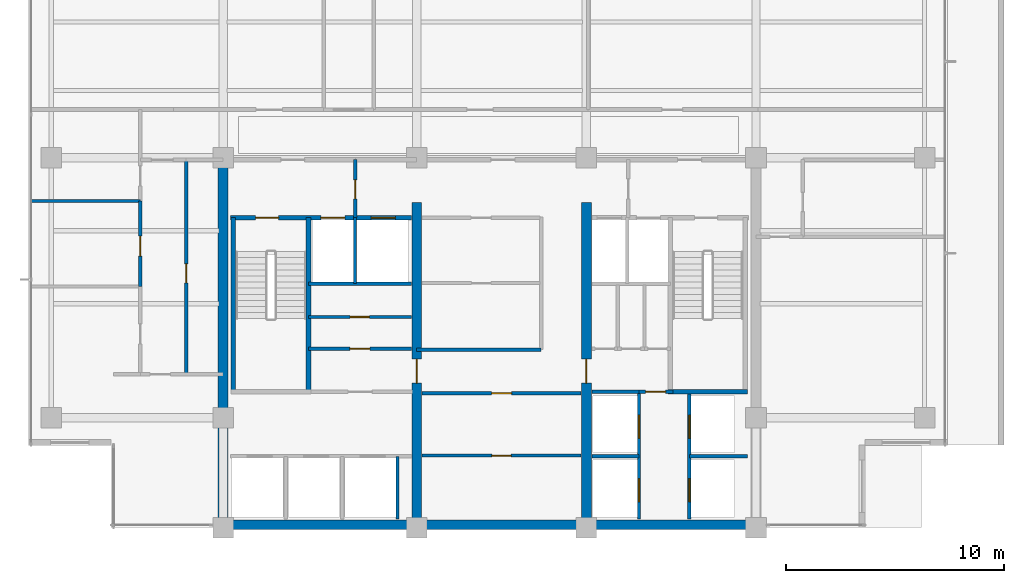
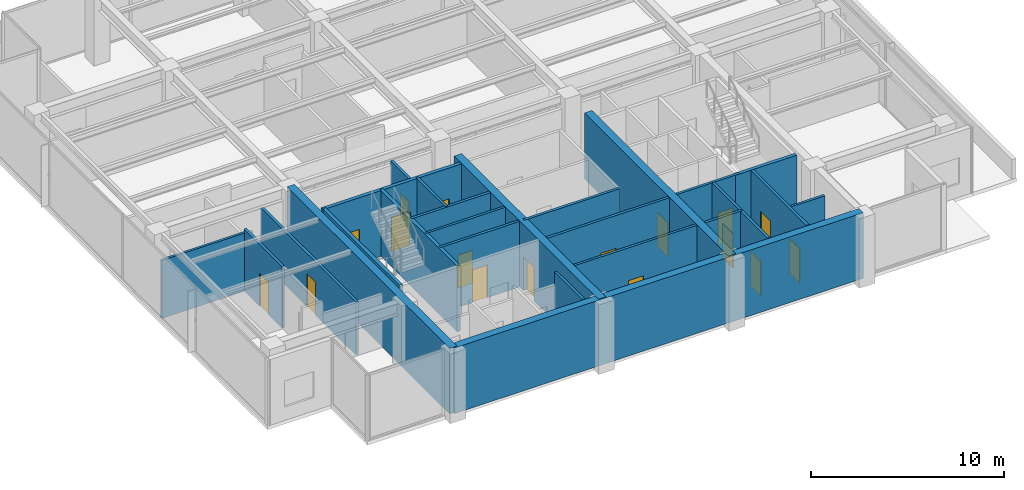
# One storey, part 7 of 14: 26 walls, 17 doors, 17 openings.
"""IFC4 building model written with IfcOpenShell, lengths in metres."""

from ifc_helpers import new_model, si_unit, direction, frame, frame_2d, origin, place, context, subcontext, project, spatial, rectangle, extrude, material, layer, layer_set, type_object, element, fill, save


model = new_model("IFC4")

# Units and contexts
model_context = context("Model", 3, precision=1e-05, world=origin(), true_north=direction((0.0, 1.0)))
body_context = subcontext(model_context, "Body", "Model", "MODEL_VIEW")
ifc_project = project(units=[si_unit("LENGTHUNIT", "METRE"), si_unit("AREAUNIT", "SQUARE_METRE"), si_unit("VOLUMEUNIT", "CUBIC_METRE"), si_unit("PLANEANGLEUNIT", "RADIAN"), si_unit("MASSUNIT", "GRAM", prefix="KILO")], contexts=[model_context])

# Site, building, storey
site_placement = place(None, origin())
site = spatial("IfcSite", under=ifc_project, at=site_placement, CompositionType="ELEMENT")
building_placement = place(site_placement, origin())
building = spatial("IfcBuilding", under=site, at=building_placement, Name="Qalmaran Belvedere Hotel", CompositionType="ELEMENT")
storey_placement = place(building_placement, frame((0.0, 0.0, 192.5)))
storey = spatial("IfcBuildingStorey", under=building, at=storey_placement, Name="L48", CompositionType="ELEMENT", Elevation=192.5)

# Wall
ifc_material_1 = material(Name="Concrete C50/60", Category="concrete")
ifc_layer_1 = layer(ifc_material_1, 0.449951171875, Name="Concrete C50/60")
ifc_layer_set_1 = layer_set([ifc_layer_1], Name="Concrete C50/60")
wall_type_1 = type_object("IfcWallType", Name="WL-CORE-450-C50", PredefinedType="SHEAR", material=ifc_layer_set_1)
wall_1_placement = place(storey_placement, frame((20.300048828125, 3.5, 0.0), z_axis=(0.0, 0.0, 1.0), x_axis=(0.0, 1.0, 0.0)))
element("IfcWall", 1, at=wall_1_placement, inside=storey, type_object=wall_type_1, Name="L48 West Core Shear Wall", PredefinedType="SHEAR", context=body_context, shape_type="SweptSolid", body=[
    extrude(rectangle(XDim=16.89990234375, YDim=0.449951171875, at=frame_2d((8.449951171875, 0.0))), origin(), (0.0, 0.0, 1.0), 4.159912109375),
])

# Wall, opening, door
wall_2_placement = place(storey_placement, frame((29.199951171875, 3.5, 0.0), z_axis=(0.0, 0.0, 1.0), x_axis=(0.0, 1.0, 0.0)))
wall_2 = element("IfcWall", 2, at=wall_2_placement, inside=storey, type_object=wall_type_1, Name="L48 Core West Spine Shear Wall", PredefinedType="SHEAR", context=body_context, shape_type="SweptSolid", body=[
    extrude(rectangle(XDim=14.949951171875, YDim=0.449951171875, at=frame_2d((7.47509765625, 0.0))), origin(), (0.0, 0.0, 1.0), 4.159912109375),
])
opening_1_placement = place(wall_2_placement, frame((7.75, 0.0, 0.0), z_axis=(0.0, 0.0, 1.0), x_axis=(-1.0, 0.0, 0.0)))
opening_1 = element("IfcOpeningElement", 3, at=opening_1_placement, cuts=wall_2, Name="Opening FD90", PredefinedType="OPENING", context=body_context, shape_type="SweptSolid", body=[
    extrude(rectangle(XDim=1.10009765625, YDim=2.14990234375, at=frame_2d((0.550048828125, 1.074951171875))), frame((0.0, 0.23486328125, 0.0), z_axis=(0.0, -1.0, 0.0), x_axis=(1.0, 0.0, 0.0)), (0.0, 0.0, 1.0), 0.469970703125),
])
ifc_material_2 = material(Name="Steel S355JR", Category="steel")
door_type_1 = type_object("IfcDoorType", Name="DR-FD90-1100X2150", OperationType="NOTDEFINED", PredefinedType="DOOR", material=ifc_material_2)
door_1_placement = place(opening_1_placement, origin())
door_1 = element("IfcDoor", 4, at=door_1_placement, inside=storey, type_object=door_type_1, Name="L48 Core West Cross-Lobby Door", OperationType="SINGLE_SWING_RIGHT", OverallHeight=2.14990234375, OverallWidth=1.10009765625, PredefinedType="DOOR", context=body_context, shape_type="SweptSolid", body=[
    extrude(rectangle(XDim=1.10009765625, YDim=2.14990234375, at=frame_2d((0.550048828125, 1.074951171875))), frame((0.0, 0.02490234375, 0.0), z_axis=(0.0, -1.0, 0.0), x_axis=(1.0, 0.0, 0.0)), (0.0, 0.0, 1.0), 0.050048828125),
])
fill(opening_1, door_1)

wall_3_placement = place(storey_placement, frame((37.0, 3.5, 0.0), z_axis=(0.0, 0.0, 1.0), x_axis=(0.0, 1.0, 0.0)))
wall_3 = element("IfcWall", 5, at=wall_3_placement, inside=storey, type_object=wall_type_1, Name="L48 Core East Spine Shear Wall", PredefinedType="SHEAR", context=body_context, shape_type="SweptSolid", body=[
    extrude(rectangle(XDim=14.949951171875, YDim=0.449951171875, at=frame_2d((7.47509765625, 0.0))), origin(), (0.0, 0.0, 1.0), 4.159912109375),
])
opening_2_placement = place(wall_3_placement, frame((6.64990234375, 0.0, 0.0)))
opening_2 = element("IfcOpeningElement", 6, at=opening_2_placement, cuts=wall_3, Name="Opening FD90", PredefinedType="OPENING", context=body_context, shape_type="SweptSolid", body=[
    extrude(rectangle(XDim=1.10009765625, YDim=2.14990234375, at=frame_2d((0.550048828125, 1.074951171875))), frame((0.0, 0.23486328125, 0.0), z_axis=(0.0, -1.0, 0.0), x_axis=(1.0, 0.0, 0.0)), (0.0, 0.0, 1.0), 0.469970703125),
])
door_2_placement = place(opening_2_placement, origin())
door_2 = element("IfcDoor", 7, at=door_2_placement, inside=storey, type_object=door_type_1, Name="L48 Core East Cross-Lobby Door", OperationType="SINGLE_SWING_LEFT", OverallHeight=2.14990234375, OverallWidth=1.10009765625, PredefinedType="DOOR", context=body_context, shape_type="SweptSolid", body=[
    extrude(rectangle(XDim=1.10009765625, YDim=2.14990234375, at=frame_2d((0.550048828125, 1.074951171875))), frame((0.0, 0.02490234375, 0.0), z_axis=(0.0, -1.0, 0.0), x_axis=(1.0, 0.0, 0.0)), (0.0, 0.0, 1.0), 0.050048828125),
])
fill(opening_2, door_2)

# Walls
ifc_layer_2 = layer(ifc_material_1, 0.43994140625, Name="Concrete C50/60")
ifc_layer_set_2 = layer_set([ifc_layer_2], Name="Concrete C50/60")
wall_type_2 = type_object("IfcWallType", Name="WL-CORES-440-EXT", PredefinedType="SHEAR", material=ifc_layer_set_2)
wall_4_placement = place(storey_placement, frame((20.300048828125, 3.6298828125, 0.0), z_axis=(0.0, 0.0, 1.0), x_axis=(1.0, 0.0, 0.0)))
element("IfcWall", 8, at=wall_4_placement, inside=storey, type_object=wall_type_2, Name="L48 South Core Shear Wall", PredefinedType="SHEAR", context=body_context, shape_type="SweptSolid", body=[
    extrude(rectangle(XDim=24.5, YDim=0.43994140625, at=frame_2d((12.25, 0.0))), origin(), (0.0, 0.0, 1.0), 4.159912109375),
])
ifc_material_3 = material(Name="Gypsum Stud Partition")
ifc_layer_3 = layer(ifc_material_3, 0.139892578125, Name="Gypsum Stud Partition")
ifc_layer_set_3 = layer_set([ifc_layer_3], Name="Gypsum Stud Partition")
wall_type_3 = type_object("IfcWallType", Name="WL-INT-140-NR", PredefinedType="PARTITIONING", material=ifc_layer_set_3)
wall_5_placement = place(storey_placement, frame((11.469970703125, 18.52001953125, 0.0), z_axis=(0.0, 0.0, 1.0), x_axis=(1.0, 0.0, 0.0)))
element("IfcWall", 9, at=wall_5_placement, inside=storey, type_object=wall_type_3, Name="L48 Partition WL-L48-WC2", PredefinedType="PARTITIONING", context=body_context, shape_type="SweptSolid", body=[
    extrude(rectangle(XDim=5.030029296875, YDim=0.139892578125, at=frame_2d((2.51513671875, 0.0))), origin(), (0.0, 0.0, 1.0), 3.681884765625),
])
ifc_layer_4 = layer(ifc_material_3, 0.14990234375, Name="Gypsum Stud Partition")
ifc_layer_set_4 = layer_set([ifc_layer_4], Name="Gypsum Stud Partition")
wall_type_4 = type_object("IfcWallType", Name="WL-INT-150-EI120", PredefinedType="PARTITIONING", material=ifc_layer_set_4)
wall_6_placement = place(storey_placement, frame((26.360107421875, 14.719970703125, 0.0), z_axis=(0.0, 0.0, 1.0), x_axis=(0.0, 1.0, 0.0)))
element("IfcWall", 10, at=wall_6_placement, inside=storey, type_object=wall_type_4, Name="L48 Partition WL-FF1M-L48", PredefinedType="PARTITIONING", context=body_context, shape_type="SweptSolid", body=[
    extrude(rectangle(XDim=3.0400390625, YDim=0.14990234375, at=frame_2d((1.52001953125, 0.0))), origin(), (0.0, 0.0, 1.0), 4.159912109375),
])
wall_7_placement = place(storey_placement, frame((28.320068359375, 3.89990234375, 0.0), z_axis=(0.0, 0.0, 1.0), x_axis=(0.0, 1.0, 0.0)))
element("IfcWall", 11, at=wall_7_placement, inside=storey, type_object=wall_type_4, Name="L48 Partition WL-POM3-L48", PredefinedType="PARTITIONING", context=body_context, shape_type="SweptSolid", body=[
    extrude(rectangle(XDim=2.880126953125, YDim=0.14990234375, at=frame_2d((1.43994140625, 0.0))), origin(), (0.0, 0.0, 1.0), 4.159912109375),
])
wall_8_placement = place(storey_placement, frame((37.25, 6.780029296875, 0.0), z_axis=(0.0, 0.0, 1.0), x_axis=(1.0, 0.0, 0.0)))
element("IfcWall", 12, at=wall_8_placement, inside=storey, type_object=wall_type_4, Name="L48 Partition WL-PHMW-L48", PredefinedType="PARTITIONING", context=body_context, shape_type="SweptSolid", body=[
    extrude(rectangle(XDim=2.169921875, YDim=0.14990234375, at=frame_2d((1.0849609375, 0.0))), origin(), (0.0, 0.0, 1.0), 4.159912109375),
])
wall_9_placement = place(storey_placement, frame((41.739990234375, 6.780029296875, 0.0), z_axis=(0.0, 0.0, 1.0), x_axis=(1.0, 0.0, 0.0)))
element("IfcWall", 13, at=wall_9_placement, inside=storey, type_object=wall_type_4, Name="L48 Partition WL-PHME-L48", PredefinedType="PARTITIONING", context=body_context, shape_type="SweptSolid", body=[
    extrude(rectangle(XDim=2.659912109375, YDim=0.14990234375, at=frame_2d((1.330078125, 0.0))), origin(), (0.0, 0.0, 1.0), 3.3720703125),
])

# Wall, opening, door
ifc_layer_5 = layer(ifc_material_3, 0.14990234375, Name="Gypsum Stud Partition")
ifc_layer_set_5 = layer_set([ifc_layer_5], Name="Gypsum Stud Partition")
wall_type_5 = type_object("IfcWallType", Name="WL-INT-150-EI60", PredefinedType="PARTITIONING", material=ifc_layer_set_5)
wall_10_placement = place(storey_placement, frame((24.219970703125, 13.18505859375, 0.0), z_axis=(0.0, 0.0, 1.0), x_axis=(1.0, 0.0, 0.0)))
wall_10 = element("IfcWall", 14, at=wall_10_placement, inside=storey, type_object=wall_type_5, Name="L48 Partition WL-L48-KWHM", PredefinedType="PARTITIONING", context=body_context, shape_type="SweptSolid", body=[
    extrude(rectangle(XDim=4.72998046875, YDim=0.14990234375, at=frame_2d((2.364990234375, 0.0))), origin(), (0.0, 0.0, 1.0), 4.159912109375),
])
opening_3_placement = place(wall_10_placement, frame((1.925048828125, 0.0, 0.0)))
opening_3 = element("IfcOpeningElement", 15, at=opening_3_placement, cuts=wall_10, Name="Opening FD60B", PredefinedType="OPENING", context=body_context, shape_type="SweptSolid", body=[
    extrude(rectangle(XDim=0.8798828125, YDim=2.080078125, at=frame_2d((0.43994140625, 1.0400390625))), frame((0.0, 0.0849609375, 0.0), z_axis=(0.0, -1.0, 0.0), x_axis=(1.0, 0.0, 0.0)), (0.0, 0.0, 1.0), 0.169921875),
])
door_type_2 = type_object("IfcDoorType", Name="DR-FD60B-880X2080", OperationType="NOTDEFINED", PredefinedType="DOOR", material=ifc_material_2)
door_3_placement = place(opening_3_placement, origin())
door_3 = element("IfcDoor", 16, at=door_3_placement, inside=storey, type_object=door_type_2, Name="L48 Staff Core WC Door", OperationType="SINGLE_SWING_RIGHT", OverallHeight=2.080078125, OverallWidth=0.8798828125, PredefinedType="DOOR", context=body_context, shape_type="SweptSolid", body=[
    extrude(rectangle(XDim=0.8798828125, YDim=2.080078125, at=frame_2d((0.43994140625, 1.0400390625))), frame((0.0, 0.02490234375, 0.0), z_axis=(0.0, -1.0, 0.0), x_axis=(1.0, 0.0, 0.0)), (0.0, 0.0, 1.0), 0.050048828125),
])
fill(opening_3, door_3)

wall_11_placement = place(storey_placement, frame((29.449951171875, 6.81494140625, 0.0), z_axis=(0.0, 0.0, 1.0), x_axis=(1.0, 0.0, 0.0)))
wall_11 = element("IfcWall", 17, at=wall_11_placement, inside=storey, type_object=wall_type_5, Name="L48 Partition WL-L48-KPLHM", PredefinedType="PARTITIONING", context=body_context, shape_type="SweptSolid", body=[
    extrude(rectangle(XDim=7.300048828125, YDim=0.14990234375, at=frame_2d((3.64990234375, 0.0))), origin(), (0.0, 0.0, 1.0), 4.159912109375),
])
opening_4_placement = place(wall_11_placement, frame((4.08984375, 0.0, 0.0), z_axis=(0.0, 0.0, 1.0), x_axis=(-1.0, 0.0, 0.0)))
opening_4 = element("IfcOpeningElement", 18, at=opening_4_placement, cuts=wall_11, Name="Opening FD60B", PredefinedType="OPENING", context=body_context, shape_type="SweptSolid", body=[
    extrude(rectangle(XDim=0.8798828125, YDim=2.080078125, at=frame_2d((0.43994140625, 1.0400390625))), frame((0.0, 0.0849609375, 0.0), z_axis=(0.0, -1.0, 0.0), x_axis=(1.0, 0.0, 0.0)), (0.0, 0.0, 1.0), 0.169921875),
])
door_4_placement = place(opening_4_placement, origin())
door_4 = element("IfcDoor", 19, at=door_4_placement, inside=storey, type_object=door_type_2, Name="L48 Housekeeping and Linen Room Door", OperationType="SINGLE_SWING_LEFT", OverallHeight=2.080078125, OverallWidth=0.8798828125, PredefinedType="DOOR", context=body_context, shape_type="SweptSolid", body=[
    extrude(rectangle(XDim=0.8798828125, YDim=2.080078125, at=frame_2d((0.43994140625, 1.0400390625))), frame((0.0, 0.02490234375, 0.0), z_axis=(0.0, -1.0, 0.0), x_axis=(1.0, 0.0, 0.0)), (0.0, 0.0, 1.0), 0.050048828125),
])
fill(opening_4, door_4)

ifc_layer_6 = layer(ifc_material_3, 0.159912109375, Name="Gypsum Stud Partition")
ifc_layer_set_6 = layer_set([ifc_layer_6], Name="Gypsum Stud Partition")
wall_type_6 = type_object("IfcWallType", Name="WL-INT-160-EI120", PredefinedType="PARTITIONING", material=ifc_layer_set_6)
wall_12_placement = place(storey_placement, frame((26.3798828125, 17.760009765625, 0.0), z_axis=(0.0, 0.0, 1.0), x_axis=(0.0, 1.0, 0.0)))
wall_12 = element("IfcWall", 20, at=wall_12_placement, inside=storey, type_object=wall_type_6, Name="L48 Partition WL-FFSV1-L48", PredefinedType="PARTITIONING", context=body_context, shape_type="SweptSolid", body=[
    extrude(rectangle(XDim=2.659912109375, YDim=0.159912109375, at=frame_2d((1.330078125, 0.0))), origin(), (0.0, 0.0, 1.0), 3.60595703125),
])
opening_5_placement = place(wall_12_placement, frame((0.85009765625, 0.0, 0.0)))
opening_5 = element("IfcOpeningElement", 21, at=opening_5_placement, cuts=wall_12, Name="Opening FD60B", PredefinedType="OPENING", context=body_context, shape_type="SweptSolid", body=[
    extrude(rectangle(XDim=0.8798828125, YDim=2.080078125, at=frame_2d((0.43994140625, 1.0400390625))), frame((0.0, 0.08984375, 0.0), z_axis=(0.0, -1.0, 0.0), x_axis=(1.0, 0.0, 0.0)), (0.0, 0.0, 1.0), 0.179931640625),
])
door_5_placement = place(opening_5_placement, origin())
door_5 = element("IfcDoor", 22, at=door_5_placement, inside=storey, type_object=door_type_2, Name="L48 Service Lobby West Door", OperationType="SINGLE_SWING_RIGHT", OverallHeight=2.080078125, OverallWidth=0.8798828125, PredefinedType="DOOR", context=body_context, shape_type="SweptSolid", body=[
    extrude(rectangle(XDim=0.8798828125, YDim=2.080078125, at=frame_2d((0.43994140625, 1.0400390625))), frame((0.0, 0.02490234375, 0.0), z_axis=(0.0, -1.0, 0.0), x_axis=(1.0, 0.0, 0.0)), (0.0, 0.0, 1.0), 0.050048828125),
])
fill(opening_5, door_5)

# Wall
wall_13_placement = place(storey_placement, frame((24.219970703125, 14.719970703125, 0.0), z_axis=(0.0, 0.0, 1.0), x_axis=(1.0, 0.0, 0.0)))
element("IfcWall", 23, at=wall_13_placement, inside=storey, type_object=wall_type_6, Name="L48 Partition WL-FF1S-L48", PredefinedType="PARTITIONING", context=body_context, shape_type="SweptSolid", body=[
    extrude(rectangle(XDim=4.72998046875, YDim=0.159912109375, at=frame_2d((2.364990234375, 0.0))), origin(), (0.0, 0.0, 1.0), 4.159912109375),
])

# Wall, openings, doors
wall_14_placement = place(storey_placement, frame((39.419921875, 3.89990234375, 0.0), z_axis=(0.0, 0.0, 1.0), x_axis=(0.0, 1.0, 0.0)))
wall_14 = element("IfcWall", 24, at=wall_14_placement, inside=storey, type_object=wall_type_6, Name="L48 Partition WL-PHW-L48", PredefinedType="PARTITIONING", context=body_context, shape_type="SweptSolid", body=[
    extrude(rectangle(XDim=5.840087890625, YDim=0.159912109375, at=frame_2d((2.919921875, 0.0))), origin(), (0.0, 0.0, 1.0), 4.159912109375),
])
opening_6_placement = place(wall_14_placement, frame((1.860107421875, 0.0, 0.0), z_axis=(0.0, 0.0, 1.0), x_axis=(-1.0, 0.0, 0.0)))
opening_6 = element("IfcOpeningElement", 25, at=opening_6_placement, cuts=wall_14, Name="Opening LD-P2", PredefinedType="OPENING", context=body_context, shape_type="SweptSolid", body=[
    extrude(rectangle(XDim=1.06005859375, YDim=2.159912109375, at=frame_2d((0.530029296875, 1.080078125))), frame((0.0, 0.08984375, 0.0), z_axis=(0.0, -1.0, 0.0), x_axis=(1.0, 0.0, 0.0)), (0.0, 0.0, 1.0), 0.179931640625),
])
opening_7_placement = place(wall_14_placement, frame((4.760009765625, 0.0, 0.0), z_axis=(0.0, 0.0, 1.0), x_axis=(-1.0, 0.0, 0.0)))
opening_7 = element("IfcOpeningElement", 26, at=opening_7_placement, cuts=wall_14, Name="Opening LD-P2", PredefinedType="OPENING", context=body_context, shape_type="SweptSolid", body=[
    extrude(rectangle(XDim=1.06005859375, YDim=2.159912109375, at=frame_2d((0.530029296875, 1.080078125))), frame((0.0, 0.08984375, 0.0), z_axis=(0.0, -1.0, 0.0), x_axis=(1.0, 0.0, 0.0)), (0.0, 0.0, 1.0), 0.179931640625),
])
ifc_material_4 = material(Name="Stainless Steel 1.4401", Category="steel")
door_type_3 = type_object("IfcDoorType", Name="DR-LIFT-P2-1060X2160", OperationType="DOUBLE_DOOR_SLIDING", PredefinedType="DOOR", material=ifc_material_4)
door_6_placement = place(opening_6_placement, origin())
door_6 = element("IfcDoor", 27, at=door_6_placement, inside=storey, type_object=door_type_3, Name="L48 PH1 Lift Landing Door", OperationType="DOUBLE_DOOR_SLIDING", OverallHeight=2.159912109375, OverallWidth=1.06005859375, PredefinedType="DOOR", context=body_context, shape_type="SweptSolid", body=[
    extrude(rectangle(XDim=1.06005859375, YDim=2.159912109375, at=frame_2d((0.530029296875, 1.080078125))), frame((0.0, 0.02490234375, 0.0), z_axis=(0.0, -1.0, 0.0), x_axis=(1.0, 0.0, 0.0)), (0.0, 0.0, 1.0), 0.050048828125),
])
fill(opening_6, door_6)
door_7_placement = place(opening_7_placement, origin())
door_7 = element("IfcDoor", 28, at=door_7_placement, inside=storey, type_object=door_type_3, Name="L48 PH2 Lift Landing Door", OperationType="DOUBLE_DOOR_SLIDING", OverallHeight=2.159912109375, OverallWidth=1.06005859375, PredefinedType="DOOR", context=body_context, shape_type="SweptSolid", body=[
    extrude(rectangle(XDim=1.06005859375, YDim=2.159912109375, at=frame_2d((0.530029296875, 1.080078125))), frame((0.0, 0.02490234375, 0.0), z_axis=(0.0, -1.0, 0.0), x_axis=(1.0, 0.0, 0.0)), (0.0, 0.0, 1.0), 0.050048828125),
])
fill(opening_7, door_7)

wall_15_placement = place(storey_placement, frame((41.739990234375, 3.89990234375, 0.0), z_axis=(0.0, 0.0, 1.0), x_axis=(0.0, 1.0, 0.0)))
wall_15 = element("IfcWall", 29, at=wall_15_placement, inside=storey, type_object=wall_type_6, Name="L48 Partition WL-PHE-L48", PredefinedType="PARTITIONING", context=body_context, shape_type="SweptSolid", body=[
    extrude(rectangle(XDim=5.840087890625, YDim=0.159912109375, at=frame_2d((2.919921875, 0.0))), origin(), (0.0, 0.0, 1.0), 4.159912109375),
])
opening_8_placement = place(wall_15_placement, frame((0.800048828125, 0.0, 0.0)))
opening_8 = element("IfcOpeningElement", 30, at=opening_8_placement, cuts=wall_15, Name="Opening LD-P2", PredefinedType="OPENING", context=body_context, shape_type="SweptSolid", body=[
    extrude(rectangle(XDim=1.06005859375, YDim=2.159912109375, at=frame_2d((0.530029296875, 1.080078125))), frame((0.0, 0.08984375, 0.0), z_axis=(0.0, -1.0, 0.0), x_axis=(1.0, 0.0, 0.0)), (0.0, 0.0, 1.0), 0.179931640625),
])
opening_9_placement = place(wall_15_placement, frame((3.699951171875, 0.0, 0.0)))
opening_9 = element("IfcOpeningElement", 31, at=opening_9_placement, cuts=wall_15, Name="Opening LD-P2", PredefinedType="OPENING", context=body_context, shape_type="SweptSolid", body=[
    extrude(rectangle(XDim=1.06005859375, YDim=2.159912109375, at=frame_2d((0.530029296875, 1.080078125))), frame((0.0, 0.08984375, 0.0), z_axis=(0.0, -1.0, 0.0), x_axis=(1.0, 0.0, 0.0)), (0.0, 0.0, 1.0), 0.179931640625),
])
door_8_placement = place(opening_8_placement, origin())
door_8 = element("IfcDoor", 32, at=door_8_placement, inside=storey, type_object=door_type_3, Name="L48 PH3 Lift Landing Door", OperationType="DOUBLE_DOOR_SLIDING", OverallHeight=2.159912109375, OverallWidth=1.06005859375, PredefinedType="DOOR", context=body_context, shape_type="SweptSolid", body=[
    extrude(rectangle(XDim=1.06005859375, YDim=2.159912109375, at=frame_2d((0.530029296875, 1.080078125))), frame((0.0, 0.02490234375, 0.0), z_axis=(0.0, -1.0, 0.0), x_axis=(1.0, 0.0, 0.0)), (0.0, 0.0, 1.0), 0.050048828125),
])
fill(opening_8, door_8)
door_9_placement = place(opening_9_placement, origin())
door_9 = element("IfcDoor", 33, at=door_9_placement, inside=storey, type_object=door_type_3, Name="L48 PH4 Lift Landing Door", OperationType="DOUBLE_DOOR_SLIDING", OverallHeight=2.159912109375, OverallWidth=1.06005859375, PredefinedType="DOOR", context=body_context, shape_type="SweptSolid", body=[
    extrude(rectangle(XDim=1.06005859375, YDim=2.159912109375, at=frame_2d((0.530029296875, 1.080078125))), frame((0.0, 0.02490234375, 0.0), z_axis=(0.0, -1.0, 0.0), x_axis=(1.0, 0.0, 0.0)), (0.0, 0.0, 1.0), 0.050048828125),
])
fill(opening_9, door_9)

# Wall
wall_16_placement = place(storey_placement, frame((37.25, 9.739990234375, 0.0), z_axis=(0.0, 0.0, 1.0), x_axis=(1.0, 0.0, 0.0)))
element("IfcWall", 34, at=wall_16_placement, inside=storey, type_object=wall_type_6, Name="L48 Partition WL-PHNW-L48", PredefinedType="PARTITIONING", context=body_context, shape_type="SweptSolid", body=[
    extrude(rectangle(XDim=2.169921875, YDim=0.159912109375, at=frame_2d((1.0849609375, 0.0))), origin(), (0.0, 0.0, 1.0), 4.159912109375),
])

# Wall, opening, door
wall_17_placement = place(storey_placement, frame((39.419921875, 9.739990234375, 0.0), z_axis=(0.0, 0.0, 1.0), x_axis=(1.0, 0.0, 0.0)))
wall_17 = element("IfcWall", 35, at=wall_17_placement, inside=storey, type_object=wall_type_6, Name="L48 Partition WL-PHNL-L48", PredefinedType="PARTITIONING", context=body_context, shape_type="SweptSolid", body=[
    extrude(rectangle(XDim=1.56005859375, YDim=0.159912109375, at=frame_2d((0.780029296875, 0.0))), origin(), (0.0, 0.0, 1.0), 4.159912109375),
])
opening_10_placement = place(wall_17_placement, frame((0.300048828125, 0.0, 0.0)))
opening_10 = element("IfcOpeningElement", 36, at=opening_10_placement, cuts=wall_17, Name="Opening FD60S1", PredefinedType="OPENING", context=body_context, shape_type="SweptSolid", body=[
    extrude(rectangle(XDim=0.919921875, YDim=2.080078125, at=frame_2d((0.4599609375, 1.0400390625))), frame((0.0, 0.08984375, 0.0), z_axis=(0.0, -1.0, 0.0), x_axis=(1.0, 0.0, 0.0)), (0.0, 0.0, 1.0), 0.179931640625),
])
ifc_material_5 = material(Name="Engineered Oak Veneer")
door_type_4 = type_object("IfcDoorType", Name="DR-FD60S-920X2080", OperationType="NOTDEFINED", PredefinedType="DOOR", material=ifc_material_5)
door_10_placement = place(opening_10_placement, origin())
door_10 = element("IfcDoor", 37, at=door_10_placement, inside=storey, type_object=door_type_4, Name="L48 High-Rise Lift Lobby Passage Door", OperationType="SINGLE_SWING_LEFT", OverallHeight=2.080078125, OverallWidth=0.919921875, PredefinedType="DOOR", context=body_context, shape_type="SweptSolid", body=[
    extrude(rectangle(XDim=0.919921875, YDim=2.080078125, at=frame_2d((0.4599609375, 1.0400390625))), frame((0.0, 0.02490234375, 0.0), z_axis=(0.0, -1.0, 0.0), x_axis=(1.0, 0.0, 0.0)), (0.0, 0.0, 1.0), 0.050048828125),
])
fill(opening_10, door_10)

ifc_layer_7 = layer(ifc_material_3, 0.159912109375, Name="Gypsum Stud Partition")
ifc_layer_set_7 = layer_set([ifc_layer_7], Name="Gypsum Stud Partition")
wall_type_7 = type_object("IfcWallType", Name="WL-INT-160-EI60", PredefinedType="PARTITIONING", material=ifc_layer_set_7)
wall_18_placement = place(storey_placement, frame((24.219970703125, 11.719970703125, 0.0), z_axis=(0.0, 0.0, 1.0), x_axis=(1.0, 0.0, 0.0)))
wall_18 = element("IfcWall", 38, at=wall_18_placement, inside=storey, type_object=wall_type_7, Name="L48 Partition WL-L48-KWE1", PredefinedType="PARTITIONING", context=body_context, shape_type="SweptSolid", body=[
    extrude(rectangle(XDim=4.72998046875, YDim=0.159912109375, at=frame_2d((2.364990234375, 0.0))), origin(), (0.0, 0.0, 1.0), 4.159912109375),
])
opening_11_placement = place(wall_18_placement, frame((1.905029296875, 0.0, 0.0)))
opening_11 = element("IfcOpeningElement", 39, at=opening_11_placement, cuts=wall_18, Name="Opening FD60S1", PredefinedType="OPENING", context=body_context, shape_type="SweptSolid", body=[
    extrude(rectangle(XDim=0.919921875, YDim=2.080078125, at=frame_2d((0.4599609375, 1.0400390625))), frame((0.0, 0.08984375, 0.0), z_axis=(0.0, -1.0, 0.0), x_axis=(1.0, 0.0, 0.0)), (0.0, 0.0, 1.0), 0.179931640625),
])
door_11_placement = place(opening_11_placement, origin())
door_11 = element("IfcDoor", 40, at=door_11_placement, inside=storey, type_object=door_type_4, Name="L48 Cleaner Supply Store Door", OperationType="SINGLE_SWING_LEFT", OverallHeight=2.080078125, OverallWidth=0.919921875, PredefinedType="DOOR", context=body_context, shape_type="SweptSolid", body=[
    extrude(rectangle(XDim=0.919921875, YDim=2.080078125, at=frame_2d((0.4599609375, 1.0400390625))), frame((0.0, 0.02490234375, 0.0), z_axis=(0.0, -1.0, 0.0), x_axis=(1.0, 0.0, 0.0)), (0.0, 0.0, 1.0), 0.050048828125),
])
fill(opening_11, door_11)

wall_19_placement = place(storey_placement, frame((29.449951171875, 9.679931640625, 0.0), z_axis=(0.0, 0.0, 1.0), x_axis=(1.0, 0.0, 0.0)))
wall_19 = element("IfcWall", 41, at=wall_19_placement, inside=storey, type_object=wall_type_7, Name="L48 Partition WL-L48-KPLE1", PredefinedType="PARTITIONING", context=body_context, shape_type="SweptSolid", body=[
    extrude(rectangle(XDim=7.300048828125, YDim=0.159912109375, at=frame_2d((3.64990234375, 0.0))), origin(), (0.0, 0.0, 1.0), 4.159912109375),
])
opening_12_placement = place(wall_19_placement, frame((4.10986328125, 0.0, 0.0), z_axis=(0.0, 0.0, 1.0), x_axis=(-1.0, 0.0, 0.0)))
opening_12 = element("IfcOpeningElement", 42, at=opening_12_placement, cuts=wall_19, Name="Opening FD60S1", PredefinedType="OPENING", context=body_context, shape_type="SweptSolid", body=[
    extrude(rectangle(XDim=0.919921875, YDim=2.080078125, at=frame_2d((0.4599609375, 1.0400390625))), frame((0.0, 0.08984375, 0.0), z_axis=(0.0, -1.0, 0.0), x_axis=(1.0, 0.0, 0.0)), (0.0, 0.0, 1.0), 0.179931640625),
])
door_12_placement = place(opening_12_placement, origin())
door_12 = element("IfcDoor", 43, at=door_12_placement, inside=storey, type_object=door_type_4, Name="L48 Guest Valet Supply Store Door", OperationType="SINGLE_SWING_RIGHT", OverallHeight=2.080078125, OverallWidth=0.919921875, PredefinedType="DOOR", context=body_context, shape_type="SweptSolid", body=[
    extrude(rectangle(XDim=0.919921875, YDim=2.080078125, at=frame_2d((0.4599609375, 1.0400390625))), frame((0.0, 0.02490234375, 0.0), z_axis=(0.0, -1.0, 0.0), x_axis=(1.0, 0.0, 0.0)), (0.0, 0.0, 1.0), 0.050048828125),
])
fill(opening_12, door_12)

# Wall
wall_20_placement = place(storey_placement, frame((29.199951171875, 11.679931640625, 0.0), z_axis=(0.0, 0.0, 1.0), x_axis=(1.0, 0.0, 0.0)))
element("IfcWall", 44, at=wall_20_placement, inside=storey, type_object=wall_type_7, Name="L48 Partition WL-PMFS-L48", PredefinedType="PARTITIONING", context=body_context, shape_type="SweptSolid", body=[
    extrude(rectangle(XDim=5.719970703125, YDim=0.159912109375, at=frame_2d((2.85986328125, 0.0))), origin(), (0.0, 0.0, 1.0), 4.159912109375),
])

# Wall, opening, door
wall_21_placement = place(storey_placement, frame((16.5, 14.580078125, 0.0), z_axis=(0.0, 0.0, 1.0), x_axis=(0.0, 1.0, 0.0)))
wall_21 = element("IfcWall", 45, at=wall_21_placement, inside=storey, type_object=wall_type_7, Name="L48 Partition WL-L48-WCC2", PredefinedType="PARTITIONING", context=body_context, shape_type="SweptSolid", body=[
    extrude(rectangle(XDim=3.93994140625, YDim=0.159912109375, at=frame_2d((1.969970703125, 0.0))), origin(), (0.0, 0.0, 1.0), 3.89794921875),
])
opening_13_placement = place(wall_21_placement, frame((1.39990234375, 0.0, 0.0)))
opening_13 = element("IfcOpeningElement", 46, at=opening_13_placement, cuts=wall_21, Name="Opening FD60S1", PredefinedType="OPENING", context=body_context, shape_type="SweptSolid", body=[
    extrude(rectangle(XDim=0.919921875, YDim=2.080078125, at=frame_2d((0.4599609375, 1.0400390625))), frame((0.0, 0.08984375, 0.0), z_axis=(0.0, -1.0, 0.0), x_axis=(1.0, 0.0, 0.0)), (0.0, 0.0, 1.0), 0.179931640625),
])
door_13_placement = place(opening_13_placement, origin())
door_13 = element("IfcDoor", 47, at=door_13_placement, inside=storey, type_object=door_type_4, Name="L48 Female WC Door", OperationType="SINGLE_SWING_RIGHT", OverallHeight=2.080078125, OverallWidth=0.919921875, PredefinedType="DOOR", context=body_context, shape_type="SweptSolid", body=[
    extrude(rectangle(XDim=0.919921875, YDim=2.080078125, at=frame_2d((0.4599609375, 1.0400390625))), frame((0.0, 0.02490234375, 0.0), z_axis=(0.0, -1.0, 0.0), x_axis=(1.0, 0.0, 0.0)), (0.0, 0.0, 1.0), 0.050048828125),
])
fill(opening_13, door_13)

wall_22_placement = place(storey_placement, frame((18.60009765625, 10.550048828125, 0.0), z_axis=(0.0, 0.0, 1.0), x_axis=(0.0, 1.0, 0.0)))
wall_22 = element("IfcWall", 48, at=wall_22_placement, inside=storey, type_object=wall_type_7, Name="L48 Partition WL-L48-WCCE", PredefinedType="PARTITIONING", context=body_context, shape_type="SweptSolid", body=[
    extrude(rectangle(XDim=9.869873046875, YDim=0.159912109375, at=frame_2d((4.93505859375, 0.0))), origin(), (0.0, 0.0, 1.0), 3.3720703125),
])
opening_14_placement = place(wall_22_placement, frame((5.079833984375, 0.0, 0.0), z_axis=(0.0, 0.0, 1.0), x_axis=(-1.0, 0.0, 0.0)))
opening_14 = element("IfcOpeningElement", 49, at=opening_14_placement, cuts=wall_22, Name="Opening FD60B", PredefinedType="OPENING", context=body_context, shape_type="SweptSolid", body=[
    extrude(rectangle(XDim=0.8798828125, YDim=2.080078125, at=frame_2d((0.43994140625, 1.0400390625))), frame((0.0, 0.08984375, 0.0), z_axis=(0.0, -1.0, 0.0), x_axis=(1.0, 0.0, 0.0)), (0.0, 0.0, 1.0), 0.179931640625),
])
door_14_placement = place(opening_14_placement, origin())
door_14 = element("IfcDoor", 50, at=door_14_placement, inside=storey, type_object=door_type_2, Name="L48 Cloakroom Store Door", OperationType="SINGLE_SWING_RIGHT", OverallHeight=2.080078125, OverallWidth=0.8798828125, PredefinedType="DOOR", context=body_context, shape_type="SweptSolid", body=[
    extrude(rectangle(XDim=0.8798828125, YDim=2.080078125, at=frame_2d((0.43994140625, 1.0400390625))), frame((0.0, 0.02490234375, 0.0), z_axis=(0.0, -1.0, 0.0), x_axis=(1.0, 0.0, 0.0)), (0.0, 0.0, 1.0), 0.050048828125),
])
fill(opening_14, door_14)

# Walls
ifc_layer_8 = layer(ifc_material_1, 0.2099609375, Name="Concrete C50/60")
ifc_layer_set_8 = layer_set([ifc_layer_8], Name="Concrete C50/60")
wall_type_8 = type_object("IfcWallType", Name="WL-STAIR-210-C50", PredefinedType="SHEAR", material=ifc_layer_set_8)
for number, where, z_axis, x_axis, name in (
    (51, (20.77490234375, 9.7451171875, 0.0), (0.0, 0.0, 1.0), (0.0, 1.0, 0.0), "L48 Stair ST-1 West Bearing Wall"),
    (52, (24.22509765625, 9.7451171875, 0.0), (0.0, 0.0, 1.0), (0.0, 1.0, 0.0), "L48 Stair ST-1 East Bearing Wall"),
):
    element("IfcWall", number, at=place(storey_placement, frame(where, z_axis=z_axis, x_axis=x_axis)), inside=storey, type_object=wall_type_8, Name=name, PredefinedType="SHEAR", context=body_context, shape_type="SweptSolid", body=[
        extrude(rectangle(XDim=8.009765625, YDim=0.2099609375, at=frame_2d((4.0048828125, 0.0))), origin(), (0.0, 0.0, 1.0), 4.159912109375),
    ])

# Wall, openings, doors
wall_23_placement = place(storey_placement, frame((20.64990234375, 17.7548828125, 0.0), z_axis=(0.0, 0.0, 1.0), x_axis=(1.0, 0.0, 0.0)))
wall_23 = element("IfcWall", 53, at=wall_23_placement, inside=storey, type_object=wall_type_8, Name="L48 West Lobby and Stair ST-1 North Bearing Wall", PredefinedType="SHEAR", context=body_context, shape_type="SweptSolid", body=[
    extrude(rectangle(XDim=8.300048828125, YDim=0.2099609375, at=frame_2d((4.14990234375, 0.0))), origin(), (0.0, 0.0, 1.0), 4.159912109375),
])
opening_15_placement = place(wall_23_placement, frame((2.199951171875, 0.0, 0.0), z_axis=(0.0, 0.0, 1.0), x_axis=(-1.0, 0.0, 0.0)))
opening_15 = element("IfcOpeningElement", 54, at=opening_15_placement, cuts=wall_23, Name="Opening FD90S2", PredefinedType="OPENING", context=body_context, shape_type="SweptSolid", body=[
    extrude(rectangle(XDim=1.050048828125, YDim=2.14990234375, at=frame_2d((0.52490234375, 1.074951171875))), frame((0.0, 0.114990234375, 0.0), z_axis=(0.0, -1.0, 0.0), x_axis=(1.0, 0.0, 0.0)), (0.0, 0.0, 1.0), 0.22998046875),
])
opening_16_placement = place(wall_23_placement, frame((4.14990234375, 0.0, 0.0)))
opening_16 = element("IfcOpeningElement", 55, at=opening_16_placement, cuts=wall_23, Name="Opening LD-FF", PredefinedType="OPENING", context=body_context, shape_type="SweptSolid", body=[
    extrude(rectangle(XDim=1.10009765625, YDim=2.179931640625, at=frame_2d((0.550048828125, 1.08984375))), frame((0.0, 0.114990234375, 0.0), z_axis=(0.0, -1.0, 0.0), x_axis=(1.0, 0.0, 0.0)), (0.0, 0.0, 1.0), 0.22998046875),
])
opening_17_placement = place(wall_23_placement, frame((6.449951171875, 0.0, 0.0)))
opening_17 = element("IfcOpeningElement", 56, at=opening_17_placement, cuts=wall_23, Name="Opening LD-SV", PredefinedType="OPENING", context=body_context, shape_type="SweptSolid", body=[
    extrude(rectangle(XDim=1.1201171875, YDim=2.199951171875, at=frame_2d((0.56005859375, 1.10009765625))), frame((0.0, 0.114990234375, 0.0), z_axis=(0.0, -1.0, 0.0), x_axis=(1.0, 0.0, 0.0)), (0.0, 0.0, 1.0), 0.22998046875),
])
door_type_5 = type_object("IfcDoorType", Name="DR-FD90S-1050X2150", OperationType="NOTDEFINED", PredefinedType="DOOR", material=ifc_material_2)
door_15_placement = place(opening_15_placement, origin())
door_15 = element("IfcDoor", 57, at=door_15_placement, inside=storey, type_object=door_type_5, Name="L48 Stair ST-1 Door", OperationType="SINGLE_SWING_RIGHT", OverallHeight=2.14990234375, OverallWidth=1.050048828125, PredefinedType="DOOR", context=body_context, shape_type="SweptSolid", body=[
    extrude(rectangle(XDim=1.050048828125, YDim=2.14990234375, at=frame_2d((0.52490234375, 1.074951171875))), frame((0.0, 0.02490234375, 0.0), z_axis=(0.0, -1.0, 0.0), x_axis=(1.0, 0.0, 0.0)), (0.0, 0.0, 1.0), 0.050048828125),
])
fill(opening_15, door_15)
door_type_6 = type_object("IfcDoorType", Name="DR-LIFT-FF-1100X2180", OperationType="DOUBLE_DOOR_SLIDING", PredefinedType="DOOR", material=ifc_material_4)
door_16_placement = place(opening_16_placement, origin())
door_16 = element("IfcDoor", 58, at=door_16_placement, inside=storey, type_object=door_type_6, Name="L48 FF1 Lift Landing Door", OperationType="DOUBLE_DOOR_SLIDING", OverallHeight=2.179931640625, OverallWidth=1.10009765625, PredefinedType="DOOR", context=body_context, shape_type="SweptSolid", body=[
    extrude(rectangle(XDim=1.10009765625, YDim=2.179931640625, at=frame_2d((0.550048828125, 1.08984375))), frame((0.0, 0.02490234375, 0.0), z_axis=(0.0, -1.0, 0.0), x_axis=(1.0, 0.0, 0.0)), (0.0, 0.0, 1.0), 0.050048828125),
])
fill(opening_16, door_16)
door_type_7 = type_object("IfcDoorType", Name="DR-LIFT-SV-1120X2200", OperationType="DOUBLE_DOOR_SLIDING", PredefinedType="DOOR", material=ifc_material_4)
door_17_placement = place(opening_17_placement, origin())
door_17 = element("IfcDoor", 59, at=door_17_placement, inside=storey, type_object=door_type_7, Name="L48 SV1 Lift Landing Door", OperationType="DOUBLE_DOOR_SLIDING", OverallHeight=2.199951171875, OverallWidth=1.1201171875, PredefinedType="DOOR", context=body_context, shape_type="SweptSolid", body=[
    extrude(rectangle(XDim=1.1201171875, YDim=2.199951171875, at=frame_2d((0.56005859375, 1.10009765625))), frame((0.0, 0.02490234375, 0.0), z_axis=(0.0, -1.0, 0.0), x_axis=(1.0, 0.0, 0.0)), (0.0, 0.0, 1.0), 0.050048828125),
])
fill(opening_17, door_17)

# Wall
wall_24_placement = place(storey_placement, frame((40.75, 9.7451171875, 0.0), z_axis=(0.0, 0.0, 1.0), x_axis=(1.0, 0.0, 0.0)))
element("IfcWall", 60, at=wall_24_placement, inside=storey, type_object=wall_type_8, Name="L48 Stair ST-2 South Bearing Wall", PredefinedType="SHEAR", context=body_context, shape_type="SweptSolid", body=[
    extrude(rectangle(XDim=3.659912109375, YDim=0.2099609375, at=frame_2d((1.830078125, 0.0))), origin(), (0.0, 0.0, 1.0), 4.159912109375),
])

save(model, "model.ifc")
